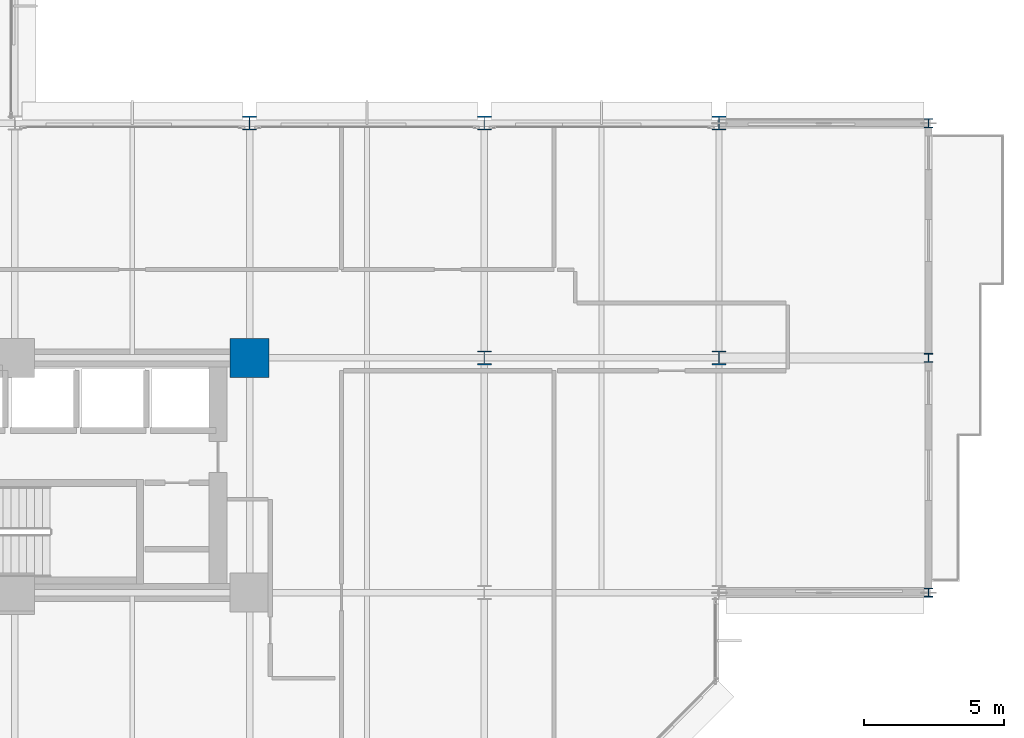
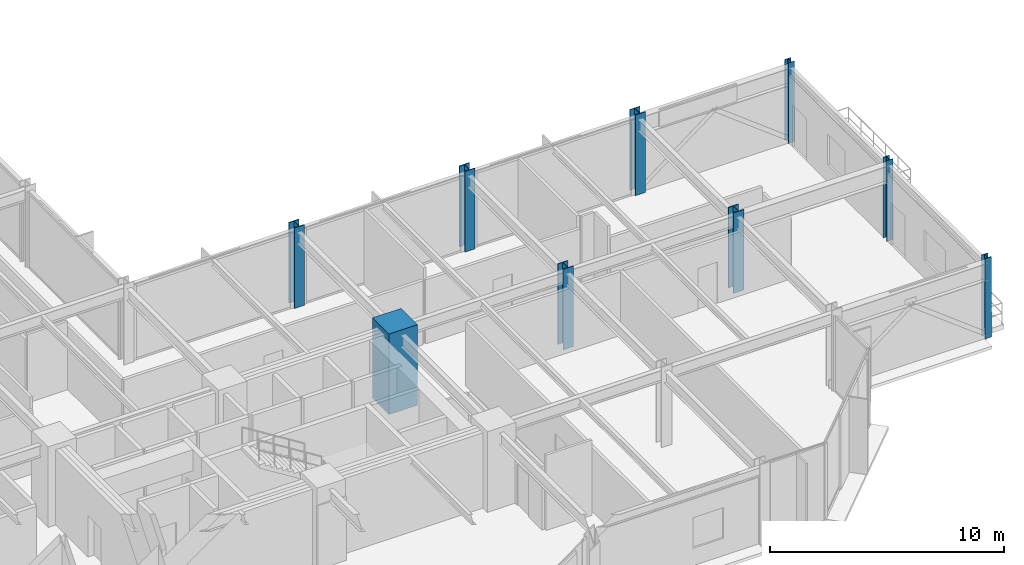
# One storey, part 2 of 30: 9 columns.
"""IFC4 building model written with IfcOpenShell, lengths in metres."""

from ifc_helpers import new_model, si_unit, direction, frame, origin, origin_2d, place, context, subcontext, project, spatial, rectangle, i_section, extrude, material, material_profile, profile_set, type_object, element, save


model = new_model("IFC4")

# Units and contexts
model_context = context("Model", 3, precision=1e-05, world=origin(), true_north=direction((0.0, 1.0)))
body_context = subcontext(model_context, "Body", "Model", "MODEL_VIEW")
ifc_project = project(units=[si_unit("LENGTHUNIT", "METRE"), si_unit("AREAUNIT", "SQUARE_METRE"), si_unit("VOLUMEUNIT", "CUBIC_METRE"), si_unit("PLANEANGLEUNIT", "RADIAN"), si_unit("MASSUNIT", "GRAM", prefix="KILO")], contexts=[model_context])

# Site, building, storey
site_placement = place(None, origin())
site = spatial("IfcSite", under=ifc_project, at=site_placement, CompositionType="ELEMENT")
building_placement = place(site_placement, origin())
building = spatial("IfcBuilding", under=site, at=building_placement, Name="Nerrivon Quay Data Exchange", CompositionType="ELEMENT")
storey_placement = place(building_placement, frame((0.0, 0.0, 62.60009765625)))
storey = spatial("IfcBuildingStorey", under=building, at=storey_placement, Name="L14", CompositionType="ELEMENT", Elevation=62.60009765625)

# Columns
ifc_material_1 = material(Name="Concrete N80 (80 MPa)", Category="concrete")
ifc_material_profile_1 = material_profile(ifc_material_1, rectangle(XDim=1.39990234375, YDim=1.39990234375, at=origin_2d()), Name="RC-COL-1400x1400")
ifc_profile_set_1 = profile_set([ifc_material_profile_1], Name="Concrete N80 (80 MPa)")
column_type_1 = type_object("IfcColumnType", Name="COL-C2-1400", PredefinedType="COLUMN", material=ifc_profile_set_1)
column_placement = place(storey_placement, frame((33.60009765625, 16.800048828125, 0.0), z_axis=(0.0, 0.0, 1.0), x_axis=(1.0, 0.0, 0.0)))
element("IfcColumn", 1, at=column_placement, inside=storey, type_object=column_type_1, Name="L14 Column (33.6,16.8)", PredefinedType="COLUMN", context=body_context, shape_type="SweptSolid", body=[
    extrude(rectangle(XDim=1.39990234375, YDim=1.39990234375, at=origin_2d()), origin(), (0.0, 0.0, 1.0), 4.199951171875),
])
ifc_material_2 = material(Name="Steel Grade 350", Category="steel")
ifc_material_profile_2 = material_profile(ifc_material_2, i_section(OverallWidth=0.5, OverallDepth=0.5, WebThickness=0.028076171875, FlangeThickness=0.0400390625, at=origin_2d()), Name="500WC440")
ifc_profile_set_2 = profile_set([ifc_material_profile_2], Name="Steel Grade 350")
column_type_2 = type_object("IfcColumnType", Name="COL-SC1-500WC", PredefinedType="COLUMN", material=ifc_profile_set_2)
for number, where, z_axis, x_axis, name in (
    (2, (33.60009765625, 25.199951171875, 0.0), (0.0, 0.0, 1.0), (1.0, 0.0, 0.0), "L14 Column (33.6,25.2)"),
    (3, (42.0, 16.800048828125, 0.0), (0.0, 0.0, 1.0), (1.0, 0.0, 0.0), "L14 Column (42.0,16.8)"),
    (4, (42.0, 25.199951171875, 0.0), (0.0, 0.0, 1.0), (1.0, 0.0, 0.0), "L14 Column (42.0,25.2)"),
    (5, (50.39990234375, 16.800048828125, 0.0), (0.0, 0.0, 1.0), (1.0, 0.0, 0.0), "L14 Column (50.4,16.8)"),
    (6, (50.39990234375, 25.199951171875, 0.0), (0.0, 0.0, 1.0), (1.0, 0.0, 0.0), "L14 Column (50.4,25.2)"),
):
    element("IfcColumn", number, at=place(storey_placement, frame(where, z_axis=z_axis, x_axis=x_axis)), inside=storey, type_object=column_type_2, Name=name, PredefinedType="COLUMN", context=body_context, shape_type="SweptSolid", body=[
        extrude(i_section(OverallWidth=0.5, OverallDepth=0.5, WebThickness=0.028076171875, FlangeThickness=0.0400390625, at=origin_2d()), origin(), (0.0, 0.0, 1.0), 4.199951171875),
    ])
ifc_material_profile_3 = material_profile(ifc_material_2, i_section(OverallWidth=0.31103515625, OverallDepth=0.326904296875, WebThickness=0.015625, FlangeThickness=0.02490234375, FilletRadius=0.0166015625, at=origin_2d()), Name="310UC158")
ifc_profile_set_3 = profile_set([ifc_material_profile_3], Name="Steel Grade 350")
column_type_3 = type_object("IfcColumnType", Name="COL-SC4-310UC158", PredefinedType="COLUMN", material=ifc_profile_set_3)
for number, where, z_axis, x_axis, name in (
    (7, (57.89990234375, 8.39990234375, 0.0), (0.0, 0.0, 1.0), (1.0, 0.0, 0.0), "L14 East Hooked Post (57.9,8.4)"),
    (8, (57.89990234375, 16.800048828125, 0.0), (0.0, 0.0, 1.0), (1.0, 0.0, 0.0), "L14 East Hooked Post (57.9,16.8)"),
    (9, (57.89990234375, 25.199951171875, 0.0), (0.0, 0.0, 1.0), (1.0, 0.0, 0.0), "L14 East Hooked Post (57.9,25.2)"),
):
    element("IfcColumn", number, at=place(storey_placement, frame(where, z_axis=z_axis, x_axis=x_axis)), inside=storey, type_object=column_type_3, Name=name, PredefinedType="COLUMN", context=body_context, shape_type="SweptSolid", body=[
        extrude(i_section(OverallWidth=0.31103515625, OverallDepth=0.326904296875, WebThickness=0.015625, FlangeThickness=0.02490234375, FilletRadius=0.0166015625, at=origin_2d()), origin(), (0.0, 0.0, 1.0), 4.199951171875),
    ])

save(model, "model.ifc")
